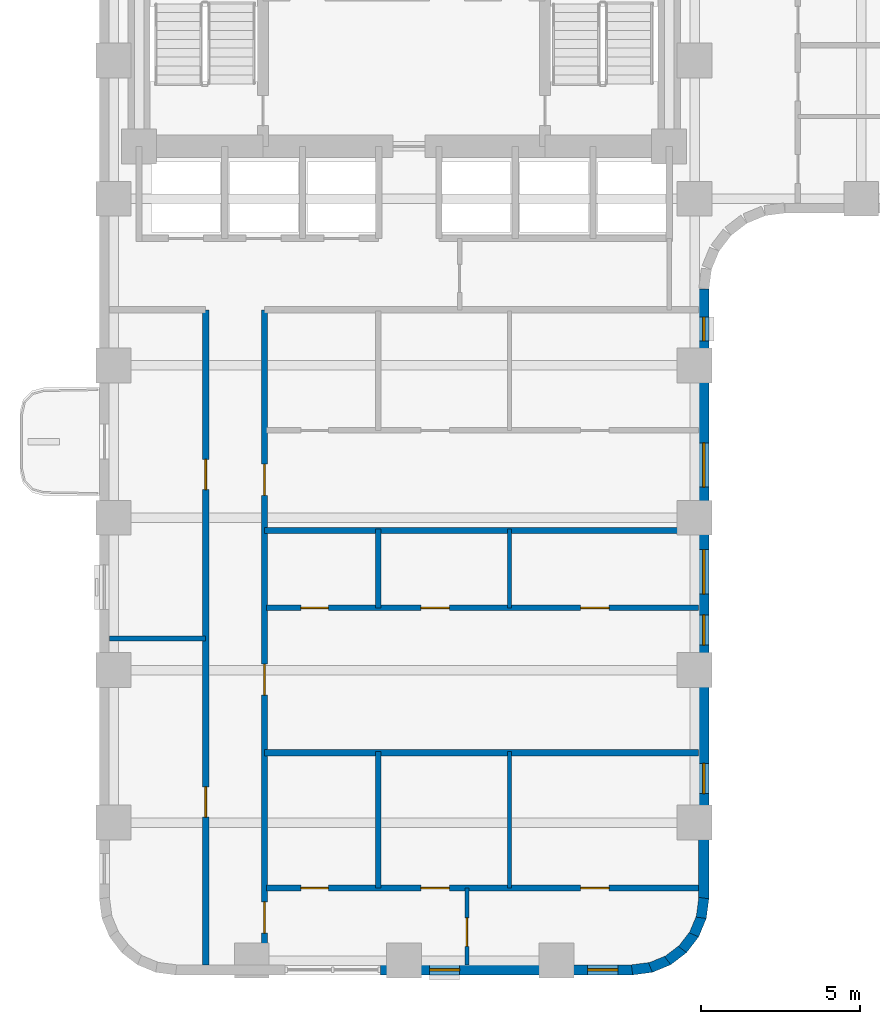
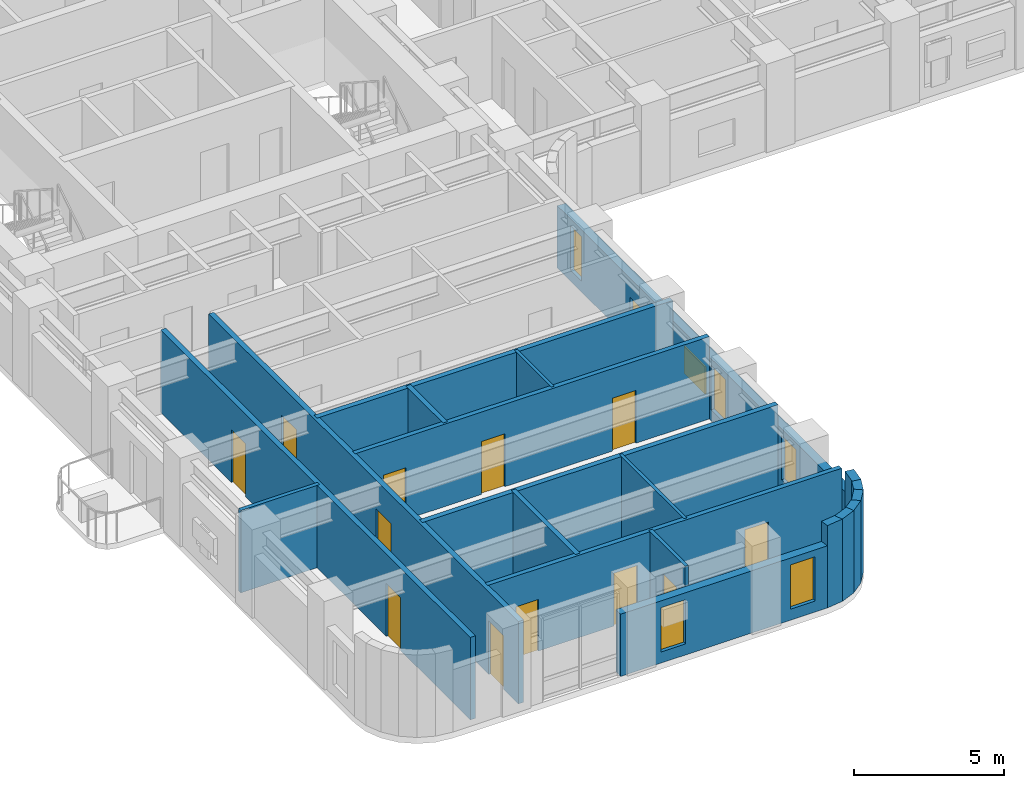
# One storey, part 4 of 12: 20 walls, 12 doors, 7 windows, 19 openings.
"""IFC4 building model written with IfcOpenShell, lengths in metres."""

from ifc_helpers import new_model, si_unit, direction, frame, frame_2d, origin, place, context, subcontext, project, spatial, rectangle, extrude, material, layer, layer_set, type_object, element, fill, save


model = new_model("IFC4")

# Units and contexts
model_context = context("Model", 3, precision=1e-05, world=origin(), true_north=direction((0.0, 1.0)))
body_context = subcontext(model_context, "Body", "Model", "MODEL_VIEW")
ifc_project = project(units=[si_unit("LENGTHUNIT", "METRE"), si_unit("AREAUNIT", "SQUARE_METRE"), si_unit("VOLUMEUNIT", "CUBIC_METRE"), si_unit("PLANEANGLEUNIT", "RADIAN"), si_unit("MASSUNIT", "GRAM", prefix="KILO")], contexts=[model_context])

# Site, building, storey
site_placement = place(None, origin())
site = spatial("IfcSite", under=ifc_project, at=site_placement, CompositionType="ELEMENT")
building_placement = place(site_placement, origin())
building = spatial("IfcBuilding", under=site, at=building_placement, Name="Orvandelia Arch Residences", CompositionType="ELEMENT")
storey_placement = place(building_placement, frame((0.0, 0.0, 71.800048828125)))
storey = spatial("IfcBuildingStorey", under=building, at=storey_placement, Name="L18", CompositionType="ELEMENT", Elevation=71.800048828125)

# Wall, openings, doors
ifc_material_1 = material(Name="Fire-Rated Corridor Partition")
ifc_layer_1 = layer(ifc_material_1, 0.199951171875, Name="Fire-Rated Corridor Partition")
ifc_layer_set_1 = layer_set([ifc_layer_1], Name="Fire-Rated Corridor Partition")
wall_type_1 = type_object("IfcWallType", Name="WL-CORR-200", PredefinedType="PARTITIONING", material=ifc_layer_set_1)
wall_1_placement = place(storey_placement, frame((8.14990234375, 5.1201171875, 0.0), z_axis=(0.0, 0.0, 1.0), x_axis=(0.0, 1.0, 0.0)))
wall_1 = element("IfcWall", 1, at=wall_1_placement, inside=storey, type_object=wall_type_1, Name="Interior Partition Wall WL-L18-WC-W", PredefinedType="PARTITIONING", context=body_context, shape_type="SweptSolid", body=[
    extrude(rectangle(XDim=20.6298828125, YDim=0.199951171875, at=frame_2d((10.31494140625, 0.0))), origin(), (0.0, 0.0, 1.0), 3.349853515625),
])
opening_1_placement = place(wall_1_placement, frame((4.64990234375, 0.0, 0.0)))
opening_1 = element("IfcOpeningElement", 2, at=opening_1_placement, cuts=wall_1, Name="Opening D2", PredefinedType="OPENING", context=body_context, shape_type="SweptSolid", body=[
    extrude(rectangle(XDim=0.949951171875, YDim=2.14990234375, at=frame_2d((0.47509765625, 1.074951171875))), frame((0.0, 0.10986328125, 0.0), z_axis=(0.0, -1.0, 0.0), x_axis=(1.0, 0.0, 0.0)), (0.0, 0.0, 1.0), 0.219970703125),
])
opening_2_placement = place(wall_1_placement, frame((14.969970703125, 0.0, 0.0)))
opening_2 = element("IfcOpeningElement", 3, at=opening_2_placement, cuts=wall_1, Name="Opening D2", PredefinedType="OPENING", context=body_context, shape_type="SweptSolid", body=[
    extrude(rectangle(XDim=0.949951171875, YDim=2.14990234375, at=frame_2d((0.47509765625, 1.074951171875))), frame((0.0, 0.10986328125, 0.0), z_axis=(0.0, -1.0, 0.0), x_axis=(1.0, 0.0, 0.0)), (0.0, 0.0, 1.0), 0.219970703125),
])
ifc_material_2 = material(Name="Solid-Core Timber Interior Fire Door", Category="wood")
door_type_1 = type_object("IfcDoorType", Name="DR-APT-950", OperationType="NOTDEFINED", PredefinedType="DOOR", material=ifc_material_2)
door_1_placement = place(opening_1_placement, origin())
door_1 = element("IfcDoor", 4, at=door_1_placement, inside=storey, type_object=door_type_1, Name="DR-L18-WGRM-1", OperationType="SINGLE_SWING_LEFT", OverallHeight=2.14990234375, OverallWidth=0.949951171875, PredefinedType="DOOR", context=body_context, shape_type="SweptSolid", body=[
    extrude(rectangle(XDim=0.949951171875, YDim=2.14990234375, at=frame_2d((0.47509765625, 1.074951171875))), frame((0.0, 0.02490234375, 0.0), z_axis=(0.0, -1.0, 0.0), x_axis=(1.0, 0.0, 0.0)), (0.0, 0.0, 1.0), 0.050048828125),
])
fill(opening_1, door_1)
door_2_placement = place(opening_2_placement, origin())
door_2 = element("IfcDoor", 5, at=door_2_placement, inside=storey, type_object=door_type_1, Name="DR-L18-WGRM-2", OperationType="SINGLE_SWING_RIGHT", OverallHeight=2.14990234375, OverallWidth=0.949951171875, PredefinedType="DOOR", context=body_context, shape_type="SweptSolid", body=[
    extrude(rectangle(XDim=0.949951171875, YDim=2.14990234375, at=frame_2d((0.47509765625, 1.074951171875))), frame((0.0, 0.02490234375, 0.0), z_axis=(0.0, -1.0, 0.0), x_axis=(1.0, 0.0, 0.0)), (0.0, 0.0, 1.0), 0.050048828125),
])
fill(opening_2, door_2)

wall_2_placement = place(storey_placement, frame((10.0, 5.1201171875, 0.0), z_axis=(0.0, 0.0, 1.0), x_axis=(0.0, 1.0, 0.0)))
wall_2 = element("IfcWall", 6, at=wall_2_placement, inside=storey, type_object=wall_type_1, Name="Interior Partition Wall WL-L18-WC-E", PredefinedType="PARTITIONING", context=body_context, shape_type="SweptSolid", body=[
    extrude(rectangle(XDim=20.6298828125, YDim=0.199951171875, at=frame_2d((10.31494140625, 0.0))), origin(), (0.0, 0.0, 1.0), 3.349853515625),
])
opening_3_placement = place(wall_2_placement, frame((0.998046875, 0.0, 0.0)))
opening_3 = element("IfcOpeningElement", 7, at=opening_3_placement, cuts=wall_2, Name="Opening D1", PredefinedType="OPENING", context=body_context, shape_type="SweptSolid", body=[
    extrude(rectangle(XDim=0.97998046875, YDim=2.179931640625, at=frame_2d((0.489990234375, 1.08984375))), frame((0.0, 0.10986328125, 0.0), z_axis=(0.0, -1.0, 0.0), x_axis=(1.0, 0.0, 0.0)), (0.0, 0.0, 1.0), 0.219970703125),
])
opening_4_placement = place(wall_2_placement, frame((8.490966796875, 0.0, 0.0)))
opening_4 = element("IfcOpeningElement", 8, at=opening_4_placement, cuts=wall_2, Name="Opening D1", PredefinedType="OPENING", context=body_context, shape_type="SweptSolid", body=[
    extrude(rectangle(XDim=0.97998046875, YDim=2.179931640625, at=frame_2d((0.489990234375, 1.08984375))), frame((0.0, 0.10986328125, 0.0), z_axis=(0.0, -1.0, 0.0), x_axis=(1.0, 0.0, 0.0)), (0.0, 0.0, 1.0), 0.219970703125),
])
opening_5_placement = place(wall_2_placement, frame((14.787109375, 0.0, 0.0)))
opening_5 = element("IfcOpeningElement", 9, at=opening_5_placement, cuts=wall_2, Name="Opening D1", PredefinedType="OPENING", context=body_context, shape_type="SweptSolid", body=[
    extrude(rectangle(XDim=0.97998046875, YDim=2.179931640625, at=frame_2d((0.489990234375, 1.08984375))), frame((0.0, 0.10986328125, 0.0), z_axis=(0.0, -1.0, 0.0), x_axis=(1.0, 0.0, 0.0)), (0.0, 0.0, 1.0), 0.219970703125),
])
ifc_material_3 = material(Name="Solid-Core Timber Acoustic Fire Door", Category="wood")
door_type_2 = type_object("IfcDoorType", Name="DR-ENT-980", OperationType="NOTDEFINED", PredefinedType="DOOR", material=ifc_material_3)
door_3_placement = place(opening_3_placement, origin())
door_3 = element("IfcDoor", 10, at=door_3_placement, inside=storey, type_object=door_type_2, Name="Unit L18-01 Entrance Door", OperationType="SINGLE_SWING_LEFT", OverallHeight=2.179931640625, OverallWidth=0.97998046875, PredefinedType="DOOR", context=body_context, shape_type="SweptSolid", body=[
    extrude(rectangle(XDim=0.97998046875, YDim=2.179931640625, at=frame_2d((0.489990234375, 1.08984375))), frame((0.0, 0.02490234375, 0.0), z_axis=(0.0, -1.0, 0.0), x_axis=(1.0, 0.0, 0.0)), (0.0, 0.0, 1.0), 0.050048828125),
])
fill(opening_3, door_3)
door_4_placement = place(opening_4_placement, origin())
door_4 = element("IfcDoor", 11, at=door_4_placement, inside=storey, type_object=door_type_2, Name="Unit L18-02 Entrance Door", OperationType="SINGLE_SWING_RIGHT", OverallHeight=2.179931640625, OverallWidth=0.97998046875, PredefinedType="DOOR", context=body_context, shape_type="SweptSolid", body=[
    extrude(rectangle(XDim=0.97998046875, YDim=2.179931640625, at=frame_2d((0.489990234375, 1.08984375))), frame((0.0, 0.02490234375, 0.0), z_axis=(0.0, -1.0, 0.0), x_axis=(1.0, 0.0, 0.0)), (0.0, 0.0, 1.0), 0.050048828125),
])
fill(opening_4, door_4)
door_5_placement = place(opening_5_placement, origin())
door_5 = element("IfcDoor", 12, at=door_5_placement, inside=storey, type_object=door_type_2, Name="Unit L18-03 Entrance Door", OperationType="SINGLE_SWING_LEFT", OverallHeight=2.179931640625, OverallWidth=0.97998046875, PredefinedType="DOOR", context=body_context, shape_type="SweptSolid", body=[
    extrude(rectangle(XDim=0.97998046875, YDim=2.179931640625, at=frame_2d((0.489990234375, 1.08984375))), frame((0.0, 0.02490234375, 0.0), z_axis=(0.0, -1.0, 0.0), x_axis=(1.0, 0.0, 0.0)), (0.0, 0.0, 1.0), 0.050048828125),
])
fill(opening_5, door_5)

# Walls
ifc_material_4 = material(Name="Concrete C40/50", Category="concrete")
ifc_layer_2 = layer(ifc_material_4, 0.199951171875, Name="Concrete C40/50", Category="concrete")
ifc_layer_set_2 = layer_set([ifc_layer_2], Name="Concrete C40/50")
wall_type_2 = type_object("IfcWallType", Name="WL-DEM-200", PredefinedType="SOLIDWALL", material=ifc_layer_set_2)
for number, where, z_axis, x_axis, name in (
    (13, (10.0, 11.800048828125, 0.0), (0.0, 0.0, 1.0), (1.0, 0.0, 0.0), "Interior Partition Wall WL-L18-DEM-WR-118"),
    (14, (10.0, 18.800048828125, 0.0), (0.0, 0.0, 1.0), (1.0, 0.0, 0.0), "Interior Partition Wall WL-L18-DEM-WR-188"),
):
    element("IfcWall", number, at=place(storey_placement, frame(where, z_axis=z_axis, x_axis=x_axis)), inside=storey, type_object=wall_type_2, Name=name, PredefinedType="SOLIDWALL", context=body_context, shape_type="SweptSolid", body=[
        extrude(rectangle(XDim=13.679931640625, YDim=0.199951171875, at=frame_2d((6.83984375, 0.0))), origin(), (0.0, 0.0, 1.0), 3.349853515625),
    ])

# Wall, openings, windows
ifc_material_5 = material(Name="Precast concrete C40/50", Category="concrete")
ifc_layer_3 = layer(ifc_material_5, 0.320068359375, Name="Precast concrete C40/50", Category="concrete")
ifc_layer_set_3 = layer_set([ifc_layer_3], Name="Precast concrete C40/50")
wall_type_3 = type_object("IfcWallType", Name="WL-EXT-STONE-320", PredefinedType="STANDARD", material=ifc_layer_set_3)
wall_3_placement = place(storey_placement, frame((23.840087890625, 26.39990234375, 0.0), z_axis=(0.0, 0.0, 1.0), x_axis=(0.0, -1.0, 0.0)))
wall_3 = element("IfcWall", 15, at=wall_3_placement, inside=storey, type_object=wall_type_3, Name="Coral-Limestone Precast Facade Wall L18-028", PredefinedType="STANDARD", context=body_context, shape_type="SweptSolid", body=[
    extrude(rectangle(XDim=19.199951171875, YDim=0.320068359375, at=frame_2d((9.60009765625, 0.0))), origin(), (0.0, 0.0, 1.0), 2.530029296875),
])
opening_6_placement = place(wall_3_placement, frame((14.93994140625, 0.0, 0.449951171875)))
opening_6 = element("IfcOpeningElement", 16, at=opening_6_placement, cuts=wall_3, Name="Opening W4", PredefinedType="OPENING", context=body_context, shape_type="SweptSolid", body=[
    extrude(rectangle(XDim=0.949951171875, YDim=1.800048828125, at=frame_2d((0.47509765625, 0.89990234375))), frame((0.0, 0.169921875, 0.0), z_axis=(0.0, -1.0, 0.0), x_axis=(1.0, 0.0, 0.0)), (0.0, 0.0, 1.0), 0.340087890625),
])
opening_7_placement = place(wall_3_placement, frame((8.2041015625, 0.0, 0.64990234375)))
opening_7 = element("IfcOpeningElement", 17, at=opening_7_placement, cuts=wall_3, Name="Opening W10", PredefinedType="OPENING", context=body_context, shape_type="SweptSolid", body=[
    extrude(rectangle(XDim=1.39990234375, YDim=1.10009765625, at=frame_2d((0.699951171875, 0.550048828125))), frame((0.0, 0.169921875, 0.0), z_axis=(0.0, -1.0, 0.0), x_axis=(1.0, 0.0, 0.0)), (0.0, 0.0, 1.0), 0.340087890625),
])
opening_8_placement = place(wall_3_placement, frame((0.8798828125, 0.0, 0.449951171875)))
opening_8 = element("IfcOpeningElement", 18, at=opening_8_placement, cuts=wall_3, Name="Opening W11", PredefinedType="OPENING", context=body_context, shape_type="SweptSolid", body=[
    extrude(rectangle(XDim=0.75, YDim=1.800048828125, at=frame_2d((0.375, 0.89990234375))), frame((0.0, 0.169921875, 0.0), z_axis=(0.0, -1.0, 0.0), x_axis=(1.0, 0.0, 0.0)), (0.0, 0.0, 1.0), 0.340087890625),
])
opening_9_placement = place(wall_3_placement, frame((10.259033203125, 0.0, 0.449951171875)))
opening_9 = element("IfcOpeningElement", 19, at=opening_9_placement, cuts=wall_3, Name="Opening W4", PredefinedType="OPENING", context=body_context, shape_type="SweptSolid", body=[
    extrude(rectangle(XDim=0.949951171875, YDim=1.800048828125, at=frame_2d((0.47509765625, 0.89990234375))), frame((0.0, 0.169921875, 0.0), z_axis=(0.0, -1.0, 0.0), x_axis=(1.0, 0.0, 0.0)), (0.0, 0.0, 1.0), 0.340087890625),
])
opening_10_placement = place(wall_3_placement, frame((4.837890625, 0.0, 0.64990234375)))
opening_10 = element("IfcOpeningElement", 20, at=opening_10_placement, cuts=wall_3, Name="Opening W10", PredefinedType="OPENING", context=body_context, shape_type="SweptSolid", body=[
    extrude(rectangle(XDim=1.39990234375, YDim=1.10009765625, at=frame_2d((0.699951171875, 0.550048828125))), frame((0.0, 0.169921875, 0.0), z_axis=(0.0, -1.0, 0.0), x_axis=(1.0, 0.0, 0.0)), (0.0, 0.0, 1.0), 0.340087890625),
])
ifc_material_6 = material(Name="Tempered Low-E Insulated Glazing", Category="glass")
window_type_1 = type_object("IfcWindowType", Name="WIN-BED-0750x1800", PartitioningType="SINGLE_PANEL", PredefinedType="WINDOW", material=ifc_material_6)
window_1_placement = place(opening_8_placement, origin())
window_1 = element("IfcWindow", 21, at=window_1_placement, inside=storey, type_object=window_type_1, Name="Recessed Punched Window L18-021", OverallHeight=1.800048828125, OverallWidth=0.75, PartitioningType="SINGLE_PANEL", PredefinedType="WINDOW", context=body_context, shape_type="SweptSolid", body=[
    extrude(rectangle(XDim=0.75, YDim=1.800048828125, at=frame_2d((0.375, 0.89990234375))), frame((0.0, 0.030029296875, 0.0), z_axis=(0.0, -1.0, 0.0), x_axis=(1.0, 0.0, 0.0)), (0.0, 0.0, 1.0), 0.06005859375),
])
fill(opening_8, window_1)
window_type_2 = type_object("IfcWindowType", Name="WIN-CLR-1400x1100", PartitioningType="SINGLE_PANEL", PredefinedType="WINDOW", material=ifc_material_6)
window_2_placement = place(opening_7_placement, origin())
window_2 = element("IfcWindow", 22, at=window_2_placement, inside=storey, type_object=window_type_2, Name="Recessed Punched Window L18-020", OverallHeight=1.10009765625, OverallWidth=1.39990234375, PartitioningType="SINGLE_PANEL", PredefinedType="WINDOW", context=body_context, shape_type="SweptSolid", body=[
    extrude(rectangle(XDim=1.39990234375, YDim=1.10009765625, at=frame_2d((0.699951171875, 0.550048828125))), frame((0.0, 0.030029296875, 0.0), z_axis=(0.0, -1.0, 0.0), x_axis=(1.0, 0.0, 0.0)), (0.0, 0.0, 1.0), 0.06005859375),
])
fill(opening_7, window_2)
window_3_placement = place(opening_10_placement, origin())
window_3 = element("IfcWindow", 23, at=window_3_placement, inside=storey, type_object=window_type_2, Name="Recessed Punched Window L18-023", OverallHeight=1.10009765625, OverallWidth=1.39990234375, PartitioningType="SINGLE_PANEL", PredefinedType="WINDOW", context=body_context, shape_type="SweptSolid", body=[
    extrude(rectangle(XDim=1.39990234375, YDim=1.10009765625, at=frame_2d((0.699951171875, 0.550048828125))), frame((0.0, 0.030029296875, 0.0), z_axis=(0.0, -1.0, 0.0), x_axis=(1.0, 0.0, 0.0)), (0.0, 0.0, 1.0), 0.06005859375),
])
fill(opening_10, window_3)
window_type_3 = type_object("IfcWindowType", Name="WIN-RES-0950x1800", PartitioningType="SINGLE_PANEL", PredefinedType="WINDOW", material=ifc_material_6)
window_4_placement = place(opening_6_placement, origin())
window_4 = element("IfcWindow", 24, at=window_4_placement, inside=storey, type_object=window_type_3, Name="Recessed Punched Window L18-019", OverallHeight=1.800048828125, OverallWidth=0.949951171875, PartitioningType="SINGLE_PANEL", PredefinedType="WINDOW", context=body_context, shape_type="SweptSolid", body=[
    extrude(rectangle(XDim=0.949951171875, YDim=1.800048828125, at=frame_2d((0.47509765625, 0.89990234375))), frame((0.0, 0.030029296875, 0.0), z_axis=(0.0, -1.0, 0.0), x_axis=(1.0, 0.0, 0.0)), (0.0, 0.0, 1.0), 0.06005859375),
])
fill(opening_6, window_4)
window_5_placement = place(opening_9_placement, origin())
window_5 = element("IfcWindow", 25, at=window_5_placement, inside=storey, type_object=window_type_3, Name="Recessed Punched Window L18-022", OverallHeight=1.800048828125, OverallWidth=0.949951171875, PartitioningType="SINGLE_PANEL", PredefinedType="WINDOW", context=body_context, shape_type="SweptSolid", body=[
    extrude(rectangle(XDim=0.949951171875, YDim=1.800048828125, at=frame_2d((0.47509765625, 0.89990234375))), frame((0.0, 0.030029296875, 0.0), z_axis=(0.0, -1.0, 0.0), x_axis=(1.0, 0.0, 0.0)), (0.0, 0.0, 1.0), 0.06005859375),
])
fill(opening_9, window_5)

# Walls
wall_4_placement = place(storey_placement, frame((23.84130859375, 7.220947265625, 0.0), z_axis=(0.0, 0.0, 1.0), x_axis=(-0.130504898859, -0.991447664465, 0.0)))
element("IfcWall", 26, at=wall_4_placement, inside=storey, type_object=wall_type_3, Name="Coral-Limestone Precast Facade Wall L18-029", PredefinedType="STANDARD", context=body_context, shape_type="SweptSolid", body=[
    extrude(rectangle(XDim=0.626708984375, YDim=0.320068359375, at=frame_2d((0.3134765625, 0.0))), origin(), (0.0, 0.0, 1.0), 3.349853515625),
])
wall_5_placement = place(storey_placement, frame((23.7705078125, 6.639892578125, 0.0), z_axis=(0.0, 0.0, 1.0), x_axis=(-0.382787856107, -0.923836271867, 0.0)))
element("IfcWall", 27, at=wall_5_placement, inside=storey, type_object=wall_type_3, Name="Coral-Limestone Precast Facade Wall L18-030", PredefinedType="STANDARD", context=body_context, shape_type="SweptSolid", body=[
    extrude(rectangle(XDim=0.626220703125, YDim=0.320068359375, at=frame_2d((0.31298828125, 0.0))), origin(), (0.0, 0.0, 1.0), 3.349853515625),
])
wall_6_placement = place(storey_placement, frame((23.551513671875, 6.097412109375, 0.0), z_axis=(0.0, 0.0, 1.0), x_axis=(-0.608693302629, -0.793405610854, 0.0)))
element("IfcWall", 28, at=wall_6_placement, inside=storey, type_object=wall_type_3, Name="Coral-Limestone Precast Facade Wall L18-031", PredefinedType="STANDARD", context=body_context, shape_type="SweptSolid", body=[
    extrude(rectangle(XDim=0.62646484375, YDim=0.320068359375, at=frame_2d((0.313232421875, 0.0))), origin(), (0.0, 0.0, 1.0), 3.349853515625),
])
wall_7_placement = place(storey_placement, frame((23.19970703125, 5.6298828125, 0.0), z_axis=(0.0, 0.0, 1.0), x_axis=(-0.7932174212, -0.608938521285, 0.0)))
element("IfcWall", 29, at=wall_7_placement, inside=storey, type_object=wall_type_3, Name="Coral-Limestone Precast Facade Wall L18-032", PredefinedType="STANDARD", context=body_context, shape_type="SweptSolid", body=[
    extrude(rectangle(XDim=0.626708984375, YDim=0.320068359375, at=frame_2d((0.3134765625, 0.0))), origin(), (0.0, 0.0, 1.0), 3.349853515625),
])
for number, where, z_axis, x_axis, name in (
    (30, (22.73876953125, 5.269287109375, 0.0), (0.0, 0.0, 1.0), (-0.92389335771, -0.382650053678, 0.0), "Coral-Limestone Precast Facade Wall L18-033"),
    (31, (22.2001953125, 5.040283203125, 0.0), (0.0, 0.0, 1.0), (-0.9914410257, -0.130555323746, 0.0), "Coral-Limestone Precast Facade Wall L18-034"),
):
    element("IfcWall", number, at=place(storey_placement, frame(where, z_axis=z_axis, x_axis=x_axis)), inside=storey, type_object=wall_type_3, Name=name, PredefinedType="STANDARD", context=body_context, shape_type="SweptSolid", body=[
        extrude(rectangle(XDim=0.62646484375, YDim=0.320068359375, at=frame_2d((0.313232421875, 0.0))), origin(), (0.0, 0.0, 1.0), 3.349853515625),
    ])

# Wall, openings, windows
wall_8_placement = place(storey_placement, frame((21.60009765625, 4.9599609375, 0.0), z_axis=(0.0, 0.0, 1.0), x_axis=(-1.0, 0.0, 0.0)))
wall_8 = element("IfcWall", 32, at=wall_8_placement, inside=storey, type_object=wall_type_3, Name="Coral-Limestone Precast Facade Wall L18-035", PredefinedType="STANDARD", context=body_context, shape_type="SweptSolid", body=[
    extrude(rectangle(XDim=7.9501953125, YDim=0.320068359375, at=frame_2d((3.97509765625, 0.0))), origin(), (0.0, 0.0, 1.0), 2.530029296875),
])
opening_11_placement = place(wall_8_placement, frame((5.450439453125, 0.0, 0.449951171875)))
opening_11 = element("IfcOpeningElement", 33, at=opening_11_placement, cuts=wall_8, Name="Opening W4", PredefinedType="OPENING", context=body_context, shape_type="SweptSolid", body=[
    extrude(rectangle(XDim=0.949951171875, YDim=1.800048828125, at=frame_2d((0.47509765625, 0.89990234375))), frame((0.0, 0.169921875, 0.0), z_axis=(0.0, -1.0, 0.0), x_axis=(1.0, 0.0, 0.0)), (0.0, 0.0, 1.0), 0.340087890625),
])
opening_12_placement = place(wall_8_placement, frame((0.469970703125, 0.0, 0.449951171875)))
opening_12 = element("IfcOpeningElement", 34, at=opening_12_placement, cuts=wall_8, Name="Opening W4", PredefinedType="OPENING", context=body_context, shape_type="SweptSolid", body=[
    extrude(rectangle(XDim=0.949951171875, YDim=1.800048828125, at=frame_2d((0.47509765625, 0.89990234375))), frame((0.0, 0.169921875, 0.0), z_axis=(0.0, -1.0, 0.0), x_axis=(1.0, 0.0, 0.0)), (0.0, 0.0, 1.0), 0.340087890625),
])
window_6_placement = place(opening_11_placement, origin())
window_6 = element("IfcWindow", 35, at=window_6_placement, inside=storey, type_object=window_type_3, Name="Recessed Punched Window L18-024", OverallHeight=1.800048828125, OverallWidth=0.949951171875, PartitioningType="SINGLE_PANEL", PredefinedType="WINDOW", context=body_context, shape_type="SweptSolid", body=[
    extrude(rectangle(XDim=0.949951171875, YDim=1.800048828125, at=frame_2d((0.47509765625, 0.89990234375))), frame((0.0, 0.030029296875, 0.0), z_axis=(0.0, -1.0, 0.0), x_axis=(1.0, 0.0, 0.0)), (0.0, 0.0, 1.0), 0.06005859375),
])
fill(opening_11, window_6)
window_7_placement = place(opening_12_placement, origin())
window_7 = element("IfcWindow", 36, at=window_7_placement, inside=storey, type_object=window_type_3, Name="Recessed Punched Window L18-025", OverallHeight=1.800048828125, OverallWidth=0.949951171875, PartitioningType="SINGLE_PANEL", PredefinedType="WINDOW", context=body_context, shape_type="SweptSolid", body=[
    extrude(rectangle(XDim=0.949951171875, YDim=1.800048828125, at=frame_2d((0.47509765625, 0.89990234375))), frame((0.0, 0.030029296875, 0.0), z_axis=(0.0, -1.0, 0.0), x_axis=(1.0, 0.0, 0.0)), (0.0, 0.0, 1.0), 0.06005859375),
])
fill(opening_12, window_7)

# Walls
ifc_material_7 = material(Name="Lightweight Gypsum Stud Partition")
ifc_layer_4 = layer(ifc_material_7, 0.1201171875, Name="Lightweight Gypsum Stud Partition")
ifc_layer_set_4 = layer_set([ifc_layer_4], Name="Lightweight Gypsum Stud Partition")
wall_type_4 = type_object("IfcWallType", Name="WL-PART-120", PredefinedType="PARTITIONING", material=ifc_layer_set_4)
wall_9_placement = place(storey_placement, frame((17.720947265625, 7.535888671875, 0.0), z_axis=(0.0, 0.0, 1.0), x_axis=(0.0, 1.0, 0.0)))
element("IfcWall", 37, at=wall_9_placement, inside=storey, type_object=wall_type_4, Name="Interior Partition Wall WL-L18-U01-V2", PredefinedType="PARTITIONING", context=body_context, shape_type="SweptSolid", body=[
    extrude(rectangle(XDim=4.30419921875, YDim=0.1201171875, at=frame_2d((2.152099609375, 0.0))), origin(), (0.0, 0.0, 1.0), 3.349853515625),
])
wall_10_placement = place(storey_placement, frame((17.720947265625, 16.362060546875, 0.0), z_axis=(0.0, 0.0, 1.0), x_axis=(0.0, 1.0, 0.0)))
element("IfcWall", 38, at=wall_10_placement, inside=storey, type_object=wall_type_4, Name="Interior Partition Wall WL-L18-U02-V2", PredefinedType="PARTITIONING", context=body_context, shape_type="SweptSolid", body=[
    extrude(rectangle(XDim=2.47802734375, YDim=0.1201171875, at=frame_2d((1.239013671875, 0.0))), origin(), (0.0, 0.0, 1.0), 3.349853515625),
])

# Wall, opening, door
ifc_material_8 = material(Name="Double-Layer Acoustic Gypsum Partition")
ifc_layer_5 = layer(ifc_material_8, 0.135009765625, Name="Double-Layer Acoustic Gypsum Partition")
ifc_layer_set_5 = layer_set([ifc_layer_5], Name="Double-Layer Acoustic Gypsum Partition")
wall_type_5 = type_object("IfcWallType", Name="WL-PART-135", PredefinedType="PARTITIONING", material=ifc_layer_set_5)
wall_11_placement = place(storey_placement, frame((16.37890625, 5.1201171875, 0.0), z_axis=(0.0, 0.0, 1.0), x_axis=(0.0, 1.0, 0.0)))
wall_11 = element("IfcWall", 39, at=wall_11_placement, inside=storey, type_object=wall_type_5, Name="Interior Partition Wall WL-L18-U01-DIN", PredefinedType="PARTITIONING", context=body_context, shape_type="SweptSolid", body=[
    extrude(rectangle(XDim=2.415771484375, YDim=0.135009765625, at=frame_2d((1.2080078125, 0.0))), origin(), (0.0, 0.0, 1.0), 3.349853515625),
])
opening_13_placement = place(wall_11_placement, frame((0.580078125, 0.0, 0.0)))
opening_13 = element("IfcOpeningElement", 40, at=opening_13_placement, cuts=wall_11, Name="Opening D3", PredefinedType="OPENING", context=body_context, shape_type="SweptSolid", body=[
    extrude(rectangle(XDim=0.89990234375, YDim=2.14990234375, at=frame_2d((0.449951171875, 1.074951171875))), frame((0.0, 0.07763671875, 0.0), z_axis=(0.0, -1.0, 0.0), x_axis=(1.0, 0.0, 0.0)), (0.0, 0.0, 1.0), 0.155029296875),
])
ifc_material_9 = material(Name="Engineered Timber Flush Door", Category="wood")
door_type_3 = type_object("IfcDoorType", Name="DR-INT-900", OperationType="NOTDEFINED", PredefinedType="DOOR", material=ifc_material_9)
door_6_placement = place(opening_13_placement, origin())
door_6 = element("IfcDoor", 41, at=door_6_placement, inside=storey, type_object=door_type_3, Name="DR-L18-U01-DIN", OperationType="SINGLE_SWING_RIGHT", OverallHeight=2.14990234375, OverallWidth=0.89990234375, PredefinedType="DOOR", context=body_context, shape_type="SweptSolid", body=[
    extrude(rectangle(XDim=0.89990234375, YDim=2.14990234375, at=frame_2d((0.449951171875, 1.074951171875))), frame((0.0, 0.02490234375, 0.0), z_axis=(0.0, -1.0, 0.0), x_axis=(1.0, 0.0, 0.0)), (0.0, 0.0, 1.0), 0.050048828125),
])
fill(opening_13, door_6)

# Wall
ifc_material_10 = material(Name="Acoustic Gypsum Stud Partition")
ifc_layer_6 = layer(ifc_material_10, 0.14990234375, Name="Acoustic Gypsum Stud Partition")
ifc_layer_set_6 = layer_set([ifc_layer_6], Name="Acoustic Gypsum Stud Partition")
wall_type_6 = type_object("IfcWallType", Name="WL-PART-150", PredefinedType="PARTITIONING", material=ifc_layer_set_6)
wall_12_placement = place(storey_placement, frame((5.1201171875, 15.39990234375, 0.0), z_axis=(0.0, 0.0, 1.0), x_axis=(1.0, 0.0, 0.0)))
element("IfcWall", 42, at=wall_12_placement, inside=storey, type_object=wall_type_6, Name="Interior Partition Wall WL-L18-WGDIV-1", PredefinedType="PARTITIONING", context=body_context, shape_type="SweptSolid", body=[
    extrude(rectangle(XDim=3.02978515625, YDim=0.14990234375, at=frame_2d((1.514892578125, 0.0))), origin(), (0.0, 0.0, 1.0), 3.349853515625),
])

# Wall, openings, doors
ifc_material_11 = material(Name="Moisture-Resistant Plumbing Wall")
ifc_layer_7 = layer(ifc_material_11, 0.179931640625, Name="Moisture-Resistant Plumbing Wall")
ifc_layer_set_7 = layer_set([ifc_layer_7], Name="Moisture-Resistant Plumbing Wall")
wall_type_7 = type_object("IfcWallType", Name="WL-WET-180", PredefinedType="PLUMBINGWALL", material=ifc_layer_set_7)
wall_13_placement = place(storey_placement, frame((10.06005859375, 7.535888671875, 0.0), z_axis=(0.0, 0.0, 1.0), x_axis=(1.0, 0.0, 0.0)))
wall_13 = element("IfcWall", 43, at=wall_13_placement, inside=storey, type_object=wall_type_7, Name="Interior Partition Wall WL-L18-U01-HZ", PredefinedType="PLUMBINGWALL", context=body_context, shape_type="SweptSolid", body=[
    extrude(rectangle(XDim=13.619873046875, YDim=0.179931640625, at=frame_2d((6.81005859375, 0.0))), origin(), (0.0, 0.0, 1.0), 3.349853515625),
])
opening_14_placement = place(wall_13_placement, frame((1.0908203125, 0.0, 0.0)))
opening_14 = element("IfcOpeningElement", 44, at=opening_14_placement, cuts=wall_13, Name="Opening D4", PredefinedType="OPENING", context=body_context, shape_type="SweptSolid", body=[
    extrude(rectangle(XDim=0.860107421875, YDim=2.10009765625, at=frame_2d((0.43017578125, 1.050048828125))), frame((0.0, 0.10009765625, 0.0), z_axis=(0.0, -1.0, 0.0), x_axis=(1.0, 0.0, 0.0)), (0.0, 0.0, 1.0), 0.199951171875),
])
opening_15_placement = place(wall_13_placement, frame((4.8681640625, 0.0, 0.0)))
opening_15 = element("IfcOpeningElement", 45, at=opening_15_placement, cuts=wall_13, Name="Opening D3", PredefinedType="OPENING", context=body_context, shape_type="SweptSolid", body=[
    extrude(rectangle(XDim=0.89990234375, YDim=2.14990234375, at=frame_2d((0.449951171875, 1.074951171875))), frame((0.0, 0.10009765625, 0.0), z_axis=(0.0, -1.0, 0.0), x_axis=(1.0, 0.0, 0.0)), (0.0, 0.0, 1.0), 0.199951171875),
])
opening_16_placement = place(wall_13_placement, frame((9.897216796875, 0.0, 0.0)))
opening_16 = element("IfcOpeningElement", 46, at=opening_16_placement, cuts=wall_13, Name="Opening D3", PredefinedType="OPENING", context=body_context, shape_type="SweptSolid", body=[
    extrude(rectangle(XDim=0.89990234375, YDim=2.14990234375, at=frame_2d((0.449951171875, 1.074951171875))), frame((0.0, 0.10009765625, 0.0), z_axis=(0.0, -1.0, 0.0), x_axis=(1.0, 0.0, 0.0)), (0.0, 0.0, 1.0), 0.199951171875),
])
door_7_placement = place(opening_15_placement, origin())
door_7 = element("IfcDoor", 47, at=door_7_placement, inside=storey, type_object=door_type_3, Name="DR-L18-U01-KIT", OperationType="SINGLE_SWING_LEFT", OverallHeight=2.14990234375, OverallWidth=0.89990234375, PredefinedType="DOOR", context=body_context, shape_type="SweptSolid", body=[
    extrude(rectangle(XDim=0.89990234375, YDim=2.14990234375, at=frame_2d((0.449951171875, 1.074951171875))), frame((0.0, 0.02490234375, 0.0), z_axis=(0.0, -1.0, 0.0), x_axis=(1.0, 0.0, 0.0)), (0.0, 0.0, 1.0), 0.050048828125),
])
fill(opening_15, door_7)
door_8_placement = place(opening_16_placement, origin())
door_8 = element("IfcDoor", 48, at=door_8_placement, inside=storey, type_object=door_type_3, Name="DR-L18-U01-BD1", OperationType="SINGLE_SWING_RIGHT", OverallHeight=2.14990234375, OverallWidth=0.89990234375, PredefinedType="DOOR", context=body_context, shape_type="SweptSolid", body=[
    extrude(rectangle(XDim=0.89990234375, YDim=2.14990234375, at=frame_2d((0.449951171875, 1.074951171875))), frame((0.0, 0.02490234375, 0.0), z_axis=(0.0, -1.0, 0.0), x_axis=(1.0, 0.0, 0.0)), (0.0, 0.0, 1.0), 0.050048828125),
])
fill(opening_16, door_8)
ifc_material_12 = material(Name="Moisture-Sealed Timber Bathroom Door", Category="wood")
door_type_4 = type_object("IfcDoorType", Name="DR-WET-900", OperationType="NOTDEFINED", PredefinedType="DOOR", material=ifc_material_12)
door_9_placement = place(opening_14_placement, origin())
door_9 = element("IfcDoor", 49, at=door_9_placement, inside=storey, type_object=door_type_4, Name="DR-L18-U01-BTH", OperationType="SINGLE_SWING_RIGHT", OverallHeight=2.10009765625, OverallWidth=0.860107421875, PredefinedType="DOOR", context=body_context, shape_type="SweptSolid", body=[
    extrude(rectangle(XDim=0.860107421875, YDim=2.10009765625, at=frame_2d((0.43017578125, 1.050048828125))), frame((0.0, 0.02490234375, 0.0), z_axis=(0.0, -1.0, 0.0), x_axis=(1.0, 0.0, 0.0)), (0.0, 0.0, 1.0), 0.050048828125),
])
fill(opening_14, door_9)

# Wall
wall_14_placement = place(storey_placement, frame((13.583984375, 7.535888671875, 0.0), z_axis=(0.0, 0.0, 1.0), x_axis=(0.0, 1.0, 0.0)))
element("IfcWall", 50, at=wall_14_placement, inside=storey, type_object=wall_type_7, Name="Interior Partition Wall WL-L18-U01-V1", PredefinedType="PLUMBINGWALL", context=body_context, shape_type="SweptSolid", body=[
    extrude(rectangle(XDim=4.30419921875, YDim=0.179931640625, at=frame_2d((2.152099609375, 0.0))), origin(), (0.0, 0.0, 1.0), 3.349853515625),
])

# Wall, openings, doors
wall_15_placement = place(storey_placement, frame((10.06005859375, 16.362060546875, 0.0), z_axis=(0.0, 0.0, 1.0), x_axis=(1.0, 0.0, 0.0)))
wall_15 = element("IfcWall", 51, at=wall_15_placement, inside=storey, type_object=wall_type_7, Name="Interior Partition Wall WL-L18-U02-HZ", PredefinedType="PLUMBINGWALL", context=body_context, shape_type="SweptSolid", body=[
    extrude(rectangle(XDim=13.619873046875, YDim=0.179931640625, at=frame_2d((6.81005859375, 0.0))), origin(), (0.0, 0.0, 1.0), 3.349853515625),
])
opening_17_placement = place(wall_15_placement, frame((1.0908203125, 0.0, 0.0)))
opening_17 = element("IfcOpeningElement", 52, at=opening_17_placement, cuts=wall_15, Name="Opening D4", PredefinedType="OPENING", context=body_context, shape_type="SweptSolid", body=[
    extrude(rectangle(XDim=0.860107421875, YDim=2.10009765625, at=frame_2d((0.43017578125, 1.050048828125))), frame((0.0, 0.10009765625, 0.0), z_axis=(0.0, -1.0, 0.0), x_axis=(1.0, 0.0, 0.0)), (0.0, 0.0, 1.0), 0.199951171875),
])
opening_18_placement = place(wall_15_placement, frame((4.8681640625, 0.0, 0.0)))
opening_18 = element("IfcOpeningElement", 53, at=opening_18_placement, cuts=wall_15, Name="Opening D3", PredefinedType="OPENING", context=body_context, shape_type="SweptSolid", body=[
    extrude(rectangle(XDim=0.89990234375, YDim=2.14990234375, at=frame_2d((0.449951171875, 1.074951171875))), frame((0.0, 0.10009765625, 0.0), z_axis=(0.0, -1.0, 0.0), x_axis=(1.0, 0.0, 0.0)), (0.0, 0.0, 1.0), 0.199951171875),
])
opening_19_placement = place(wall_15_placement, frame((9.897216796875, 0.0, 0.0)))
opening_19 = element("IfcOpeningElement", 54, at=opening_19_placement, cuts=wall_15, Name="Opening D3", PredefinedType="OPENING", context=body_context, shape_type="SweptSolid", body=[
    extrude(rectangle(XDim=0.89990234375, YDim=2.14990234375, at=frame_2d((0.449951171875, 1.074951171875))), frame((0.0, 0.10009765625, 0.0), z_axis=(0.0, -1.0, 0.0), x_axis=(1.0, 0.0, 0.0)), (0.0, 0.0, 1.0), 0.199951171875),
])
door_10_placement = place(opening_18_placement, origin())
door_10 = element("IfcDoor", 55, at=door_10_placement, inside=storey, type_object=door_type_3, Name="DR-L18-U02-KIT", OperationType="SINGLE_SWING_RIGHT", OverallHeight=2.14990234375, OverallWidth=0.89990234375, PredefinedType="DOOR", context=body_context, shape_type="SweptSolid", body=[
    extrude(rectangle(XDim=0.89990234375, YDim=2.14990234375, at=frame_2d((0.449951171875, 1.074951171875))), frame((0.0, 0.02490234375, 0.0), z_axis=(0.0, -1.0, 0.0), x_axis=(1.0, 0.0, 0.0)), (0.0, 0.0, 1.0), 0.050048828125),
])
fill(opening_18, door_10)
door_11_placement = place(opening_19_placement, origin())
door_11 = element("IfcDoor", 56, at=door_11_placement, inside=storey, type_object=door_type_3, Name="DR-L18-U02-BD1", OperationType="SINGLE_SWING_LEFT", OverallHeight=2.14990234375, OverallWidth=0.89990234375, PredefinedType="DOOR", context=body_context, shape_type="SweptSolid", body=[
    extrude(rectangle(XDim=0.89990234375, YDim=2.14990234375, at=frame_2d((0.449951171875, 1.074951171875))), frame((0.0, 0.02490234375, 0.0), z_axis=(0.0, -1.0, 0.0), x_axis=(1.0, 0.0, 0.0)), (0.0, 0.0, 1.0), 0.050048828125),
])
fill(opening_19, door_11)
door_12_placement = place(opening_17_placement, origin())
door_12 = element("IfcDoor", 57, at=door_12_placement, inside=storey, type_object=door_type_4, Name="DR-L18-U02-BTH", OperationType="SINGLE_SWING_LEFT", OverallHeight=2.10009765625, OverallWidth=0.860107421875, PredefinedType="DOOR", context=body_context, shape_type="SweptSolid", body=[
    extrude(rectangle(XDim=0.860107421875, YDim=2.10009765625, at=frame_2d((0.43017578125, 1.050048828125))), frame((0.0, 0.02490234375, 0.0), z_axis=(0.0, -1.0, 0.0), x_axis=(1.0, 0.0, 0.0)), (0.0, 0.0, 1.0), 0.050048828125),
])
fill(opening_17, door_12)

# Wall
wall_16_placement = place(storey_placement, frame((13.583984375, 16.362060546875, 0.0), z_axis=(0.0, 0.0, 1.0), x_axis=(0.0, 1.0, 0.0)))
element("IfcWall", 58, at=wall_16_placement, inside=storey, type_object=wall_type_7, Name="Interior Partition Wall WL-L18-U02-V1", PredefinedType="PLUMBINGWALL", context=body_context, shape_type="SweptSolid", body=[
    extrude(rectangle(XDim=2.47802734375, YDim=0.179931640625, at=frame_2d((1.239013671875, 0.0))), origin(), (0.0, 0.0, 1.0), 3.349853515625),
])

save(model, "model.ifc")
